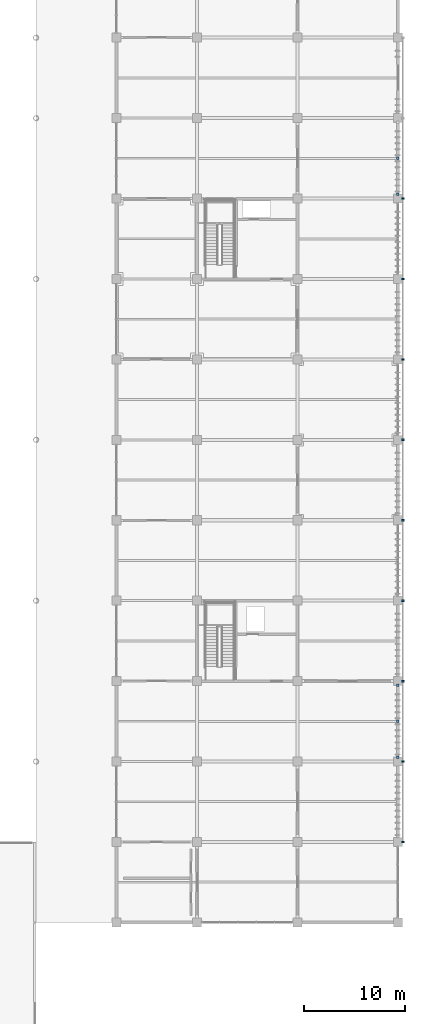
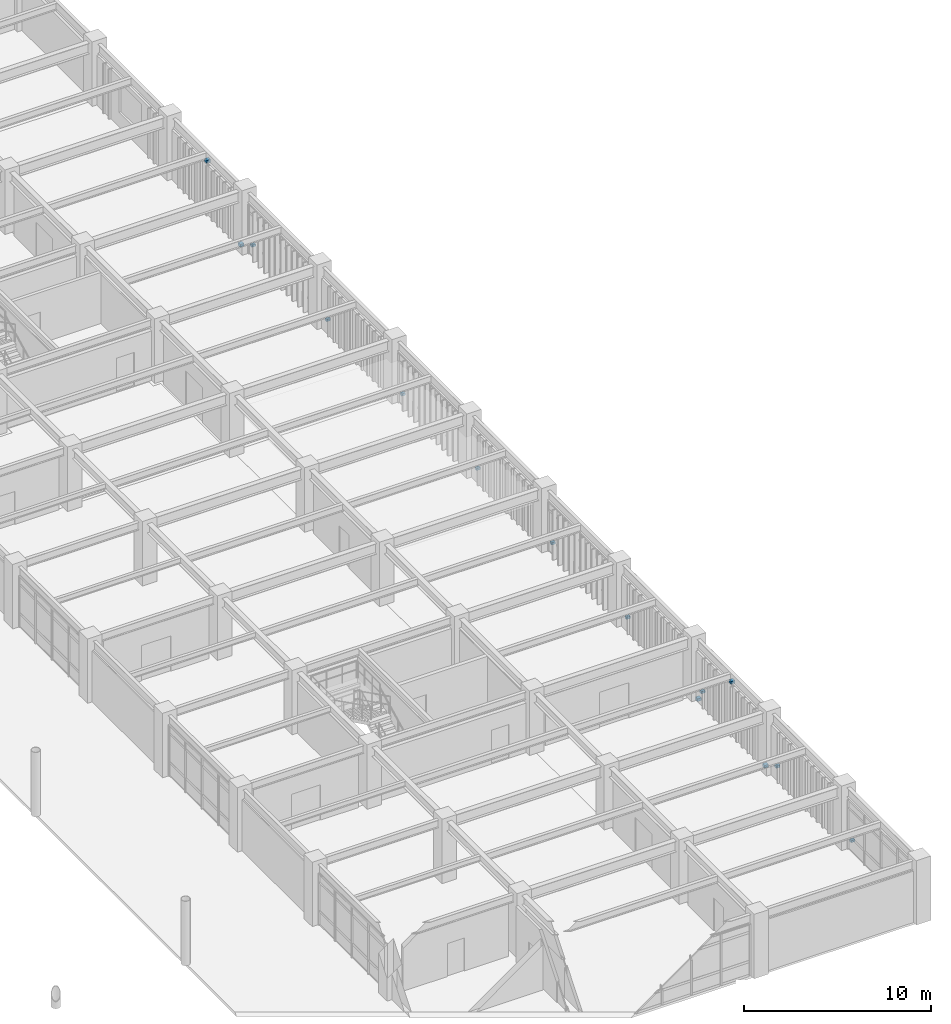
# One storey, part 102 of 118: 14 discrete accessories.
"""IFC4 building model written with IfcOpenShell, lengths in metres."""

from ifc_helpers import new_model, si_unit, direction, frame, origin, origin_2d, place, context, subcontext, project, spatial, rectangle, extrude, material, layer, layer_set, type_object, element, save


model = new_model("IFC4")

# Units and contexts
model_context = context("Model", 3, precision=1e-05, world=origin(), true_north=direction((0.0, 1.0)))
body_context = subcontext(model_context, "Body", "Model", "MODEL_VIEW")
ifc_project = project(units=[si_unit("LENGTHUNIT", "METRE"), si_unit("AREAUNIT", "SQUARE_METRE"), si_unit("VOLUMEUNIT", "CUBIC_METRE"), si_unit("PLANEANGLEUNIT", "RADIAN"), si_unit("MASSUNIT", "GRAM", prefix="KILO")], contexts=[model_context])

# Site, building, storey
site_placement = place(None, origin())
site = spatial("IfcSite", under=ifc_project, at=site_placement, CompositionType="ELEMENT")
building_placement = place(site_placement, origin())
building = spatial("IfcBuilding", under=site, at=building_placement, Name="Haebicheon Civic Stadium", CompositionType="ELEMENT")
storey_placement = place(building_placement, frame((0.0, 0.0, 14.39990234375)))
storey = spatial("IfcBuildingStorey", under=building, at=storey_placement, Name="L04", CompositionType="ELEMENT", Elevation=14.39990234375)

# Discrete accessories
ifc_material_1 = material(Name="White painted steel SM490", Category="steel")
ifc_layer_1 = layer(ifc_material_1, 0.179931640625, Name="White painted steel SM490")
ifc_layer_set_1 = layer_set([ifc_layer_1], Name="White painted steel SM490")
discrete_accessory_type_1 = type_object("IfcDiscreteAccessoryType", Name="BRK-END-PLT", PredefinedType="BRACKET", material=ifc_layer_set_1)
for number, where, z_axis, x_axis, name in (
    (1, (236.0, 56.419921875, -0.0498046875), (0.0, 0.0, 1.0), (1.0, 0.0, 0.0), "Brace L04-28-07 bolted end connection plate"),
    (2, (236.0, 63.580078125, -0.0498046875), (0.0, 0.0, 1.0), (1.0, 0.0, 0.0), "Brace L04-28-07 bolted end connection plate"),
    (3, (236.0, 60.0, 3.25), (0.0, 0.0, 1.0), (1.0, 0.0, 0.0), "Brace L04-28-07 bolted end connection plate"),
    (4, (236.0, 112.419921875, -0.0498046875), (0.0, 0.0, 1.0), (1.0, 0.0, 0.0), "Brace L04-28-14 bolted end connection plate"),
    (5, (236.0, 116.0, 3.25), (0.0, 0.0, 1.0), (1.0, 0.0, 0.0), "Brace L04-28-14 bolted end connection plate"),
):
    element("IfcDiscreteAccessory", number, at=place(storey_placement, frame(where, z_axis=z_axis, x_axis=x_axis)), inside=storey, type_object=discrete_accessory_type_1, material=ifc_layer_set_1, Name=name, PredefinedType="BRACKET", context=body_context, shape_type="SweptSolid", body=[
        extrude(rectangle(XDim=0.239990234375, YDim=0.239990234375, at=origin_2d()), origin(), (0.0, 0.0, 1.0), 0.179931640625),
    ])
ifc_material_2 = material(Name="Stainless steel 316", Category="steel")
ifc_layer_2 = layer(ifc_material_2, 0.139892578125, Name="Stainless steel 316")
ifc_layer_set_2 = layer_set([ifc_layer_2], Name="Stainless steel 316")
discrete_accessory_type_2 = type_object("IfcDiscreteAccessoryType", Name="BRK-LVR-CLEAT", PredefinedType="BRACKET", material=ifc_layer_set_2)
for number, where, z_axis, x_axis, name in (
    (6, (236.489990234375, 48.0, 0.01025390625), (0.0, 0.0, 1.0), (1.0, 0.0, 0.0), "SCR-COMM L04 stainless bracket cleat 1A"),
    (7, (236.489990234375, 56.0, 0.01025390625), (0.0, 0.0, 1.0), (1.0, 0.0, 0.0), "SCR-COMM L04 stainless bracket cleat 1B"),
    (8, (236.489990234375, 64.0, 0.01025390625), (0.0, 0.0, 1.0), (1.0, 0.0, 0.0), "SCR-COMM L04 stainless bracket cleat 2B"),
    (9, (236.489990234375, 72.0, 0.01025390625), (0.0, 0.0, 1.0), (1.0, 0.0, 0.0), "SCR-COMM L04 stainless bracket cleat 3B"),
    (10, (236.489990234375, 80.0, 0.01025390625), (0.0, 0.0, 1.0), (1.0, 0.0, 0.0), "SCR-COMM L04 stainless bracket cleat 4B"),
    (11, (236.489990234375, 88.0, 0.01025390625), (0.0, 0.0, 1.0), (1.0, 0.0, 0.0), "SCR-COMM L04 stainless bracket cleat 5B"),
    (12, (236.489990234375, 96.0, 0.01025390625), (0.0, 0.0, 1.0), (1.0, 0.0, 0.0), "SCR-COMM L04 stainless bracket cleat 6B"),
    (13, (236.489990234375, 104.0, 0.01025390625), (0.0, 0.0, 1.0), (1.0, 0.0, 0.0), "SCR-COMM L04 stainless bracket cleat 7B"),
    (14, (236.489990234375, 112.0, 0.01025390625), (0.0, 0.0, 1.0), (1.0, 0.0, 0.0), "SCR-COMM L04 stainless bracket cleat 8B"),
):
    element("IfcDiscreteAccessory", number, at=place(storey_placement, frame(where, z_axis=z_axis, x_axis=x_axis)), inside=storey, type_object=discrete_accessory_type_2, material=ifc_layer_set_2, Name=name, PredefinedType="BRACKET", context=body_context, shape_type="SweptSolid", body=[
        extrude(rectangle(XDim=0.239990234375, YDim=0.179931640625, at=origin_2d()), origin(), (0.0, 0.0, 1.0), 0.139892578125),
    ])

save(model, "model.ifc")
